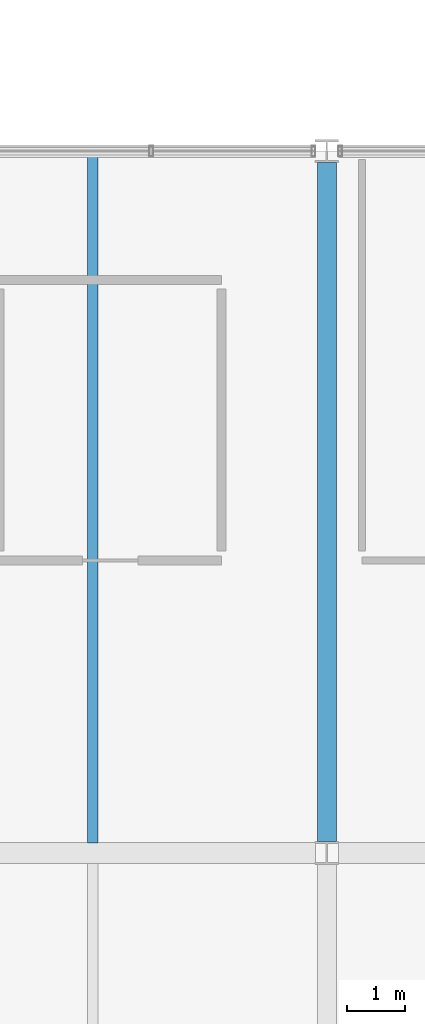
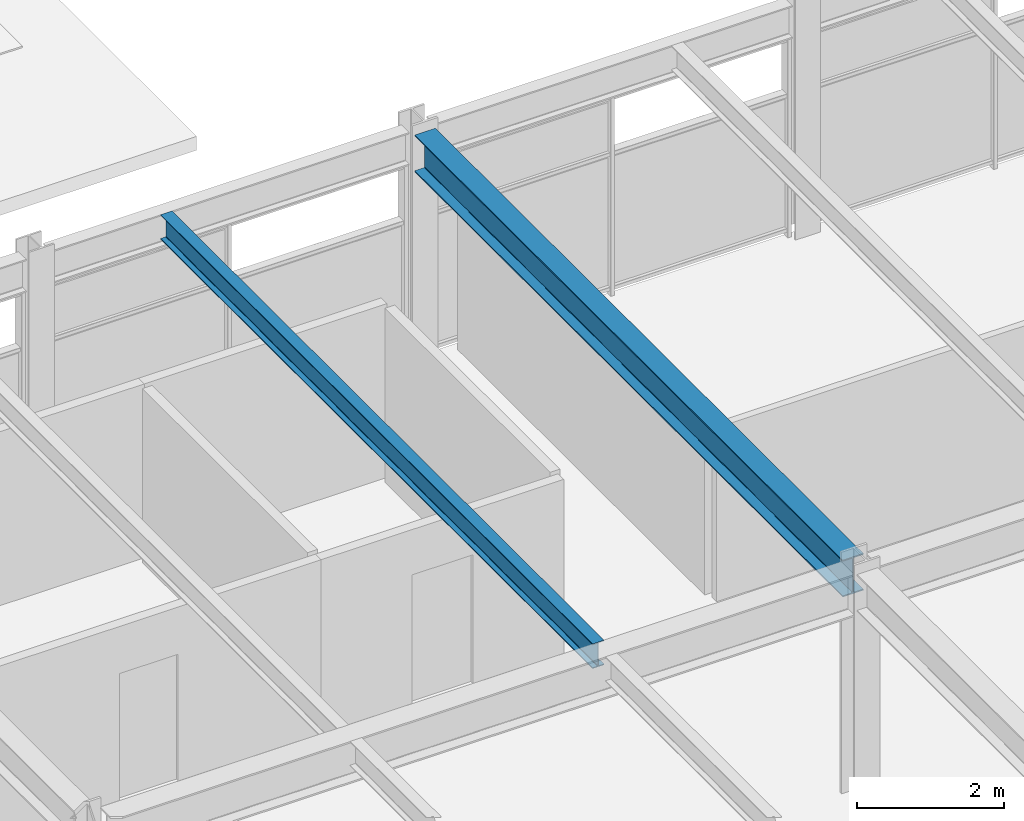
# One storey, part 23 of 49: 2 beams.
"""IFC4 building model written with IfcOpenShell, lengths in metres."""

from ifc_helpers import new_model, si_unit, direction, frame, origin, origin_2d, place, context, subcontext, project, spatial, i_section, extrude, material, material_profile, profile_set, type_object, element, save


model = new_model("IFC4")

# Units and contexts
model_context = context("Model", 3, precision=1e-05, world=origin(), true_north=direction((0.0, 1.0)))
body_context = subcontext(model_context, "Body", "Model", "MODEL_VIEW")
ifc_project = project(units=[si_unit("LENGTHUNIT", "METRE"), si_unit("AREAUNIT", "SQUARE_METRE"), si_unit("VOLUMEUNIT", "CUBIC_METRE"), si_unit("PLANEANGLEUNIT", "RADIAN"), si_unit("MASSUNIT", "GRAM", prefix="KILO")], contexts=[model_context])

# Site, building, storey
site_placement = place(None, origin())
site = spatial("IfcSite", under=ifc_project, at=site_placement, CompositionType="ELEMENT")
building_placement = place(site_placement, origin())
building = spatial("IfcBuilding", under=site, at=building_placement, Name="Girod Span Mobility Hub", CompositionType="ELEMENT")
storey_placement = place(building_placement, frame((0.0, 0.0, 37.60009765625)))
storey = spatial("IfcBuildingStorey", under=building, at=storey_placement, Name="L09", CompositionType="ELEMENT", Elevation=37.60009765625)

# Beams
ifc_material_1 = material(Name="Steel A992 Grade 50", Category="steel")
ifc_material_profile_1 = material_profile(ifc_material_1, i_section(OverallWidth=0.178955078125, OverallDepth=0.409912109375, WebThickness=0.0087890625, FlangeThickness=0.014404296875, FilletRadius=0.012939453125, at=origin_2d()), Name="W16X45")
ifc_profile_set_1 = profile_set([ifc_material_profile_1], Name="Steel A992 Grade 50")
beam_type_1 = type_object("IfcBeamType", Name="BM-STL-W16X45", PredefinedType="BEAM", material=ifc_profile_set_1)
beam_1_placement = place(storey_placement, frame((80.0, 57.174560546875, 3.6298828125), z_axis=(0.0, 1.0, 0.0), x_axis=(-1.0, 0.0, 0.0)))
element("IfcBeam", 1, at=beam_1_placement, inside=storey, type_object=beam_type_1, Name="Composite Floorbeam 7/E-2 L09", PredefinedType="BEAM", context=body_context, shape_type="SweptSolid", body=[
    extrude(i_section(OverallWidth=0.178955078125, OverallDepth=0.409912109375, WebThickness=0.0087890625, FlangeThickness=0.014404296875, FilletRadius=0.012939453125, at=origin_2d()), origin(), (0.0, 0.0, 1.0), 11.722412109375),
])
ifc_material_2 = material(Name="Steel A992 Grade 50", Category="steel")
ifc_material_profile_2 = material_profile(ifc_material_2, i_section(OverallWidth=0.323974609375, OverallDepth=0.611083984375, WebThickness=0.0126953125, FlangeThickness=0.01904296875, FilletRadius=0.014892578125, at=origin_2d()), Name="W24X104")
ifc_profile_set_2 = profile_set([ifc_material_profile_2], Name="Steel A992 Grade 50")
beam_type_2 = type_object("IfcBeamType", Name="BM-STL-W24X104", PredefinedType="BEAM", material=ifc_profile_set_2)
beam_2_placement = place(storey_placement, frame((84.0, 57.193603515625, 3.529296875), z_axis=(0.0, 1.0, 0.0), x_axis=(-1.0, 0.0, 0.0)))
element("IfcBeam", 2, at=beam_2_placement, inside=storey, type_object=beam_type_2, Name="Tie Girder 8/E-F L09", PredefinedType="BEAM", context=body_context, shape_type="SweptSolid", body=[
    extrude(i_section(OverallWidth=0.323974609375, OverallDepth=0.611083984375, WebThickness=0.0126953125, FlangeThickness=0.01904296875, FilletRadius=0.014892578125, at=origin_2d()), origin(), (0.0, 0.0, 1.0), 11.61279296875),
])

save(model, "model.ifc")
